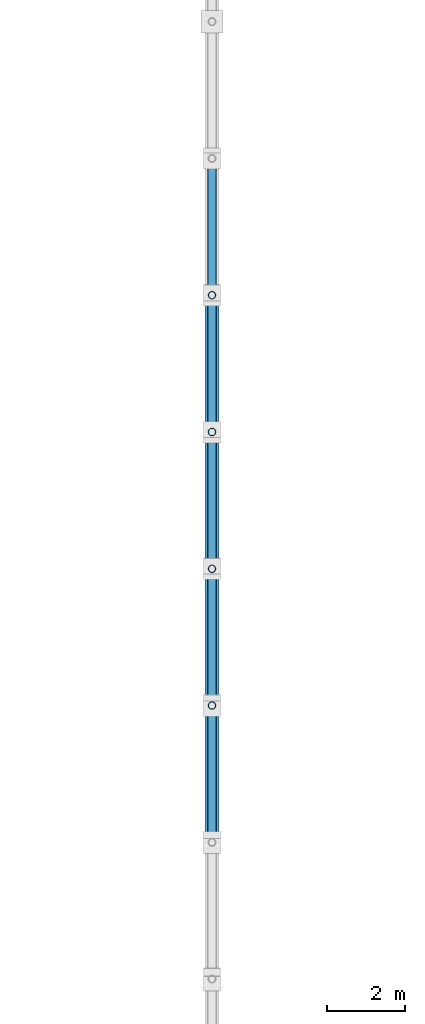
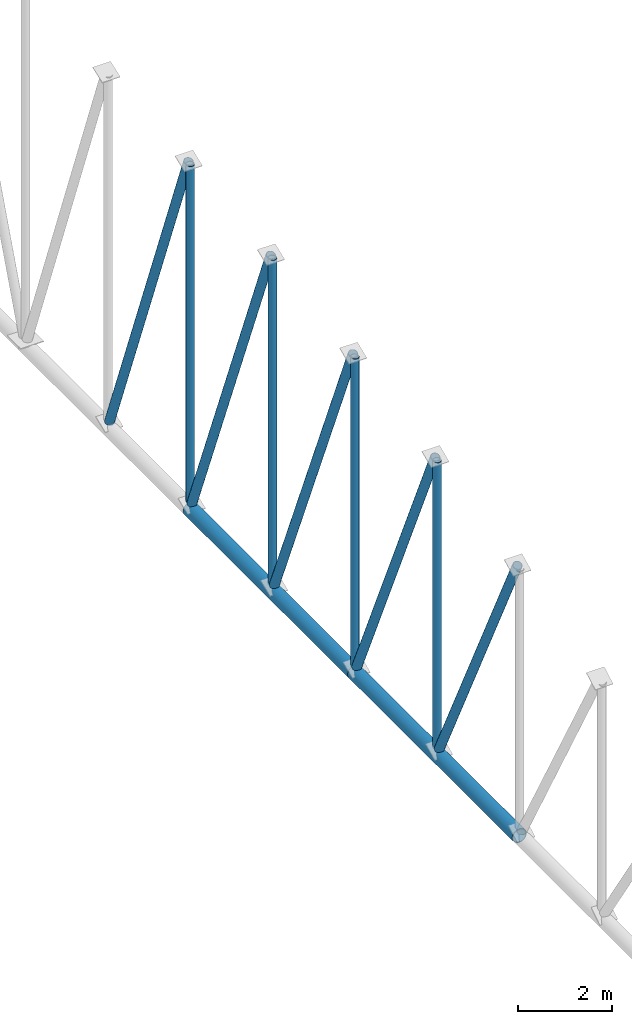
# One storey, part 60 of 196: 11 members.
"""IFC4 building model written with IfcOpenShell, lengths in metres."""

from ifc_helpers import new_model, si_unit, direction, frame, origin, origin_2d, place, context, subcontext, project, spatial, hollow_circle, extrude, material, material_profile, profile_set, type_object, element, save


model = new_model("IFC4")

# Units and contexts
model_context = context("Model", 3, precision=1e-05, world=origin(), true_north=direction((0.0, 1.0)))
body_context = subcontext(model_context, "Body", "Model", "MODEL_VIEW")
ifc_project = project(units=[si_unit("LENGTHUNIT", "METRE"), si_unit("AREAUNIT", "SQUARE_METRE"), si_unit("VOLUMEUNIT", "CUBIC_METRE"), si_unit("PLANEANGLEUNIT", "RADIAN"), si_unit("MASSUNIT", "GRAM", prefix="KILO")], contexts=[model_context])

# Site, building, storey
site_placement = place(None, origin())
site = spatial("IfcSite", under=ifc_project, at=site_placement, CompositionType="ELEMENT")
building_placement = place(site_placement, origin())
building = spatial("IfcBuilding", under=site, at=building_placement, Name="Okhra Congress Centre", CompositionType="ELEMENT")
storey_placement = place(building_placement, frame((0.0, 0.0, 12.0)))
storey = spatial("IfcBuildingStorey", under=building, at=storey_placement, Name="L02", CompositionType="ELEMENT", Elevation=12.0)

# Members
ifc_material = material(Name="Steel S355J2H", Category="steel")
ifc_material_profile_1 = material_profile(ifc_material, hollow_circle(Radius=0.096923828125, WallThickness=0.008056640625, at=origin_2d()), Name="CHS 193.7x8.0")
ifc_profile_set_1 = profile_set([ifc_material_profile_1], Name="Steel S355J2H")
member_type_1 = type_object("IfcMemberType", Name="CHS 193.7x8.0", PredefinedType="POST", material=ifc_profile_set_1)
member_1_placement = place(storey_placement, frame((64.0, 156.5, 1.577880859375), z_axis=(0.0, 0.0, 1.0), x_axis=(1.0, 0.0, 0.0)))
element("IfcMember", 1, at=member_1_placement, inside=storey, type_object=member_type_1, Name="EH.MEM.L02.T3-VER-07", PredefinedType="POST", context=body_context, shape_type="SweptSolid", body=[
    extrude(hollow_circle(Radius=0.096923828125, WallThickness=0.008056640625, at=origin_2d()), origin(), (0.0, 0.0, 1.0), 7.448974609375),
])
member_2_placement = place(storey_placement, frame((64.0, 160.0, 1.577880859375), z_axis=(0.0, 0.0, 1.0), x_axis=(1.0, 0.0, 0.0)))
element("IfcMember", 2, at=member_2_placement, inside=storey, type_object=member_type_1, Name="EH.MEM.L02.T3-VER-08", PredefinedType="POST", context=body_context, shape_type="SweptSolid", body=[
    extrude(hollow_circle(Radius=0.096923828125, WallThickness=0.008056640625, at=origin_2d()), origin(), (0.0, 0.0, 1.0), 8.01708984375),
])
member_3_placement = place(storey_placement, frame((64.0, 163.5, 1.577880859375), z_axis=(0.0, 0.0, 1.0), x_axis=(1.0, 0.0, 0.0)))
element("IfcMember", 3, at=member_3_placement, inside=storey, type_object=member_type_1, Name="EH.MEM.L02.T3-VER-09", PredefinedType="POST", context=body_context, shape_type="SweptSolid", body=[
    extrude(hollow_circle(Radius=0.096923828125, WallThickness=0.008056640625, at=origin_2d()), origin(), (0.0, 0.0, 1.0), 8.456787109375),
])
member_4_placement = place(storey_placement, frame((64.0, 167.0, 1.577880859375), z_axis=(0.0, 0.0, 1.0), x_axis=(1.0, 0.0, 0.0)))
element("IfcMember", 4, at=member_4_placement, inside=storey, type_object=member_type_1, Name="EH.MEM.L02.T3-VER-10", PredefinedType="POST", context=body_context, shape_type="SweptSolid", body=[
    extrude(hollow_circle(Radius=0.096923828125, WallThickness=0.008056640625, at=origin_2d()), origin(), (0.0, 0.0, 1.0), 8.76953125),
])
ifc_material_profile_2 = material_profile(ifc_material, hollow_circle(Radius=0.109619140625, WallThickness=0.010009765625, at=origin_2d()), Name="CHS 219.1x10.0")
ifc_profile_set_2 = profile_set([ifc_material_profile_2], Name="Steel S355J2H")
member_type_2 = type_object("IfcMemberType", Name="CHS 219.1x10.0", PredefinedType="BRACE", material=ifc_profile_set_2)
member_5_placement = place(storey_placement, frame((64.0, 153.083740234375, 8.365234375), z_axis=(0.0, 0.440367038805, -0.897817838503), x_axis=(-1.0, 0.0, 0.0)))
element("IfcMember", 5, at=member_5_placement, inside=storey, type_object=member_type_2, Name="EH.MEM.L02.T3-DIA-06", PredefinedType="BRACE", context=body_context, shape_type="SweptSolid", body=[
    extrude(hollow_circle(Radius=0.109619140625, WallThickness=0.010009765625, at=origin_2d()), origin(), (0.0, 0.0, 1.0), 7.559814453125),
])
member_6_placement = place(storey_placement, frame((64.0, 156.57763671875, 9.0595703125), z_axis=(0.0, 0.407953800593, -0.913002572057), x_axis=(-1.0, 0.0, 0.0)))
element("IfcMember", 6, at=member_6_placement, inside=storey, type_object=member_type_2, Name="EH.MEM.L02.T3-DIA-07", PredefinedType="BRACE", context=body_context, shape_type="SweptSolid", body=[
    extrude(hollow_circle(Radius=0.109619140625, WallThickness=0.010009765625, at=origin_2d()), origin(), (0.0, 0.0, 1.0), 8.194580078125),
])
member_7_placement = place(storey_placement, frame((64.0, 160.073486328125, 9.6240234375), z_axis=(0.0, 0.384613395842, -0.92307775173), x_axis=(-1.0, 0.0, 0.0)))
element("IfcMember", 7, at=member_7_placement, inside=storey, type_object=member_type_2, Name="EH.MEM.L02.T3-DIA-08", PredefinedType="BRACE", context=body_context, shape_type="SweptSolid", body=[
    extrude(hollow_circle(Radius=0.109619140625, WallThickness=0.010009765625, at=origin_2d()), origin(), (0.0, 0.0, 1.0), 8.716552734375),
])
member_8_placement = place(storey_placement, frame((64.0, 163.570556640625, 10.060546875), z_axis=(0.0, 0.368181952794, -0.929753757528), x_axis=(-1.0, 0.0, 0.0)))
element("IfcMember", 8, at=member_8_placement, inside=storey, type_object=member_type_2, Name="EH.MEM.L02.T3-DIA-09", PredefinedType="BRACE", context=body_context, shape_type="SweptSolid", body=[
    extrude(hollow_circle(Radius=0.109619140625, WallThickness=0.010009765625, at=origin_2d()), origin(), (0.0, 0.0, 1.0), 9.12353515625),
])
member_9_placement = place(storey_placement, frame((64.0, 167.069091796875, 10.37060546875), z_axis=(0.0, 0.357217988255, -0.934021043054), x_axis=(-1.0, 0.0, 0.0)))
element("IfcMember", 9, at=member_9_placement, inside=storey, type_object=member_type_2, Name="EH.MEM.L02.T3-DIA-10", PredefinedType="BRACE", context=body_context, shape_type="SweptSolid", body=[
    extrude(hollow_circle(Radius=0.109619140625, WallThickness=0.010009765625, at=origin_2d()), origin(), (0.0, 0.0, 1.0), 9.413818359375),
])
ifc_material_profile_3 = material_profile(ifc_material, hollow_circle(Radius=0.177734375, WallThickness=0.01611328125, at=origin_2d()), Name="CHS 355.6x16.0")
ifc_profile_set_3 = profile_set([ifc_material_profile_3], Name="Steel S355J2H")
member_type_3 = type_object("IfcMemberType", Name="CHS 355.6x16.0", PredefinedType="CHORD", material=ifc_profile_set_3)
member_10_placement = place(storey_placement, frame((64.0, 153.0, 1.39990234375), z_axis=(0.0, 1.0, 0.0), x_axis=(-1.0, 0.0, 0.0)))
element("IfcMember", 10, at=member_10_placement, inside=storey, type_object=member_type_3, Name="EH.MEM.L02.T3-BOT-04", PredefinedType="CHORD", context=body_context, shape_type="SweptSolid", body=[
    extrude(hollow_circle(Radius=0.177734375, WallThickness=0.01611328125, at=origin_2d()), origin(), (0.0, 0.0, 1.0), 7.0),
])
ifc_material_profile_4 = material_profile(ifc_material, hollow_circle(Radius=0.177734375, WallThickness=0.02001953125, at=origin_2d()), Name="CHS 355.6x20.0")
ifc_profile_set_4 = profile_set([ifc_material_profile_4], Name="Steel S355J2H")
member_type_4 = type_object("IfcMemberType", Name="CHS 355.6x20.0", PredefinedType="CHORD", material=ifc_profile_set_4)
member_11_placement = place(storey_placement, frame((64.0, 160.0, 1.39990234375), z_axis=(0.0, 1.0, 0.0), x_axis=(-1.0, 0.0, 0.0)))
element("IfcMember", 11, at=member_11_placement, inside=storey, type_object=member_type_4, Name="EH.MEM.L02.T3-BOT-05", PredefinedType="CHORD", context=body_context, shape_type="SweptSolid", body=[
    extrude(hollow_circle(Radius=0.177734375, WallThickness=0.02001953125, at=origin_2d()), origin(), (0.0, 0.0, 1.0), 7.0),
])

save(model, "model.ifc")
